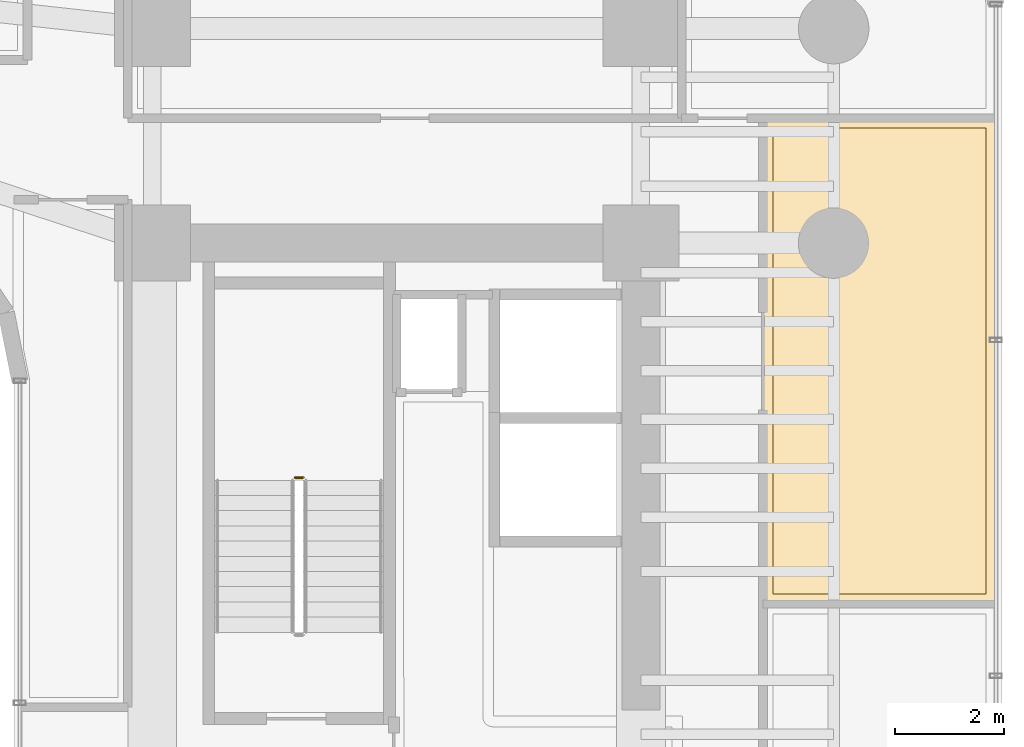
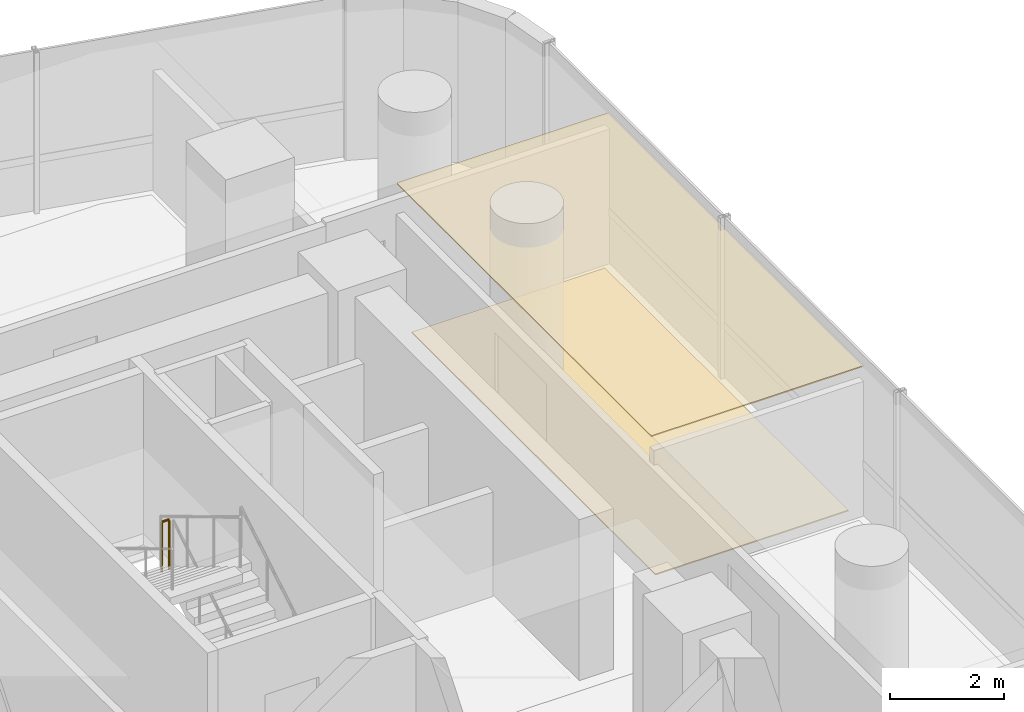
# One storey, part 38 of 39: 2 coverings, 1 railing.
"""IFC4 building model written with IfcOpenShell, lengths in metres."""

import ifcopenshell
import ifcopenshell.guid

model = None  # the IFC model being written
_history = None  # IfcOwnerHistory: only IFC2X3 demands one
_inside = {}  # id of a spatial element -> (the spatial element, [elements in it])
_under = {}  # id of a project, library or spatial element -> (it, [spatial elements below it])
_declared = {}  # id of a project -> (the project, [libraries it declares])
_typed = {}  # id of a type object -> (the type object, [elements of that type])
_made_of = {}  # id of a material, layer set ... -> (it, [elements and type objects made of it])


def new_model(schema):
    """Start an empty IFC model of exactly this schema.

    Asked for "IFC4X3", IfcOpenShell would pick the latest addendum, in which some entities
    have other attributes; the version numbers below select the first issue.
    IFC2X3 requires an IfcOwnerHistory on every rooted entity: one is made here for all.
    """
    global model, _history
    if schema == "IFC4X3":
        model = ifcopenshell.file(schema_version=(4, 3, 0, 0))
    else:
        model = ifcopenshell.file(schema=schema)
    _inside.clear()
    _under.clear()
    _declared.clear()
    _typed.clear()
    _made_of.clear()
    _history = None
    if model.schema == "IFC2X3":
        org = make("IfcOrganization", Name="unknown")
        user = make(
            "IfcPersonAndOrganization",
            ThePerson=make("IfcPerson", FamilyName="unknown"),
            TheOrganization=org,
        )
        app = make(
            "IfcApplication",
            ApplicationDeveloper=org,
            Version="unknown",
            ApplicationFullName="unknown",
            ApplicationIdentifier="unknown",
        )
        _history = make(
            "IfcOwnerHistory",
            OwningUser=user,
            OwningApplication=app,
            ChangeAction="ADDED",
            CreationDate=0,
        )
    return model


def make(cls, **values):
    """One entity of the class cls with the attributes given. An attribute that is None is left unset."""
    return model.create_entity(
        cls, **{name: value for name, value in values.items() if value is not None}
    )


def rooted(cls, **values):
    """An entity with a GlobalId (a new one), such as an element, a storey or a relation."""
    return make(cls, GlobalId=ifcopenshell.guid.new(), OwnerHistory=_history, **values)


def si_unit(unit_type, name, prefix=None):
    """IfcSIUnit, for example si_unit("LENGTHUNIT", "METRE", prefix="MILLI")."""
    return make("IfcSIUnit", UnitType=unit_type, Prefix=prefix, Name=name)


def assignment(units):
    """IfcUnitAssignment: the units of a project."""
    return None if units is None else make("IfcUnitAssignment", Units=units)


def point(xyz):
    """IfcCartesianPoint."""
    return None if xyz is None else make("IfcCartesianPoint", Coordinates=xyz)


def direction(xyz):
    """IfcDirection."""
    return None if xyz is None else make("IfcDirection", DirectionRatios=xyz)


def frame(location, z_axis=None, x_axis=None):
    """IfcAxis2Placement3D, a coordinate frame: its origin and axes. An axis left out is left unset."""
    return make(
        "IfcAxis2Placement3D",
        Location=point(location),
        Axis=direction(z_axis),
        RefDirection=direction(x_axis),
    )


def frame_2d(location, x_axis=None):
    """IfcAxis2Placement2D, a coordinate frame in the plane: its origin and x axis."""
    return make(
        "IfcAxis2Placement2D", Location=point(location), RefDirection=direction(x_axis)
    )


def origin():
    """The frame at (0, 0, 0) with its axes left unset."""
    return frame((0.0, 0.0, 0.0))


def origin_2d():
    """The frame at (0, 0) in the plane with its x axis left unset."""
    return frame_2d((0.0, 0.0))


def place(relative_to, where):
    """IfcLocalPlacement: puts the frame where relative to a parent placement (None: the world)."""
    return make(
        "IfcLocalPlacement", PlacementRelTo=relative_to, RelativePlacement=where
    )


def context(
    kind, dimensions, precision=None, world=None, true_north=None, identifier=None
):
    """IfcGeometricRepresentationContext, for example the 3D "Model" context."""
    return make(
        "IfcGeometricRepresentationContext",
        ContextIdentifier=identifier,
        ContextType=kind,
        CoordinateSpaceDimension=dimensions,
        Precision=precision,
        WorldCoordinateSystem=world,
        TrueNorth=true_north,
    )


def subcontext(parent, identifier, kind, view, scale=None):
    """IfcGeometricRepresentationSubContext, for example "Body" below "Model"."""
    return make(
        "IfcGeometricRepresentationSubContext",
        ContextIdentifier=identifier,
        ContextType=kind,
        ParentContext=parent,
        TargetScale=scale,
        TargetView=view,
    )


def project(units=None, contexts=None):
    """IfcProject with its units and contexts."""
    return rooted(
        "IfcProject",
        Name="project",
        RepresentationContexts=contexts,
        UnitsInContext=assignment(units),
    )


def spatial(cls, under=None, at=None, **own):
    """A site, building, storey or space (cls), placed at a placement, below another one or the project."""
    s = rooted(cls, ObjectPlacement=at, **own)
    if under is not None:
        _under.setdefault(under.id(), (under, []))[1].append(s)
    return s


def polyline(points):
    """IfcPolyline through the points."""
    return make("IfcPolyline", Points=[point(p) for p in points])


def profile(cls, at=None, kind="AREA", **sizes):
    """A parametric profile (cls). Its sizes go by their IFC names, for example OverallWidth=200.0."""
    return make(cls, ProfileType=kind, Position=at, **sizes)


def circle(**sizes):
    """IfcCircleProfileDef."""
    return profile("IfcCircleProfileDef", **sizes)


def outline(outer, holes=None, kind="AREA"):
    """IfcArbitraryClosedProfileDef: a profile drawn as a closed curve; with holes, ...WithVoids."""
    if holes is None:
        return make("IfcArbitraryClosedProfileDef", ProfileType=kind, OuterCurve=outer)
    return make(
        "IfcArbitraryProfileDefWithVoids",
        ProfileType=kind,
        OuterCurve=outer,
        InnerCurves=holes,
    )


def extrude(swept, where, along, depth):
    """IfcExtrudedAreaSolid: the profile swept, set in the frame where, extruded along a direction by depth."""
    return make(
        "IfcExtrudedAreaSolid",
        SweptArea=swept,
        Position=where,
        ExtrudedDirection=direction(along),
        Depth=depth,
    )


def shape(context_of_items, identifier, shape_type, items):
    """IfcShapeRepresentation: the items that make up one representation, for example the "Body"."""
    return make(
        "IfcShapeRepresentation",
        ContextOfItems=context_of_items,
        RepresentationIdentifier=identifier,
        RepresentationType=shape_type,
        Items=items,
    )


def material(Name=None, Category=None):
    """IfcMaterial."""
    return make("IfcMaterial", Name=Name, Category=Category)


def layer(
    of_material, thickness, ventilated=None, Name=None, Category=None, Priority=None
):
    """IfcMaterialLayer: one layer of a wall or slab, of a material (None: an air gap)."""
    return make(
        "IfcMaterialLayer",
        Material=of_material,
        LayerThickness=thickness,
        IsVentilated=ventilated,
        Name=Name,
        Category=Category,
        Priority=Priority,
    )


def layer_set(layers, Name=None):
    """IfcMaterialLayerSet."""
    return make("IfcMaterialLayerSet", MaterialLayers=layers, LayerSetName=Name)


def made_of(thing, what):
    """Note that an element or type object is made of a material, layer set ...; save() writes the relation."""
    if what is not None:
        _made_of.setdefault(what.id(), (what, []))[1].append(thing)
    return thing


def type_object(cls, material=None, **own):
    """A type object (cls), such as IfcWallType, which elements share."""
    return made_of(rooted(cls, **own), material)


def element(
    cls,
    number,
    at=None,
    inside=None,
    cuts=None,
    type_object=None,
    material=None,
    context=None,
    identifier="Body",
    shape_type=None,
    held_by="IfcProductDefinitionShape",
    body=None,
    shapes=None,
    **own,
):
    """One element of the class cls, such as IfcWall. Its Tag is "e" and its number.

    at: its placement. inside: the storey or other place that contains it. cuts: it is an
    opening in that element (IfcRelVoidsElement). A single representation is given by context,
    identifier, shape_type and body (its items); several are given by shapes. held_by: the class
    of the entity that holds the representations. save() writes the other relations.
    """
    e = rooted(cls, Tag="e%d" % number, ObjectPlacement=at, **own)
    if body is not None:
        shapes = [shape(context, identifier, shape_type, body)]
    if shapes is not None:
        e.Representation = make(held_by, Representations=shapes)
    if inside is not None:
        _inside.setdefault(inside.id(), (inside, []))[1].append(e)
    if cuts is not None:
        rooted(
            "IfcRelVoidsElement", RelatingBuildingElement=cuts, RelatedOpeningElement=e
        )
    if type_object is not None:
        _typed.setdefault(type_object.id(), (type_object, []))[1].append(e)
    return made_of(e, material)


def aggregate(whole, parts):
    """IfcRelAggregates: a whole, such as a stair, and the parts it consists of."""
    return rooted("IfcRelAggregates", RelatingObject=whole, RelatedObjects=parts)


def save(model, path):
    """Write the relations noted so far, then the file.

    IfcRelAggregates (storeys below a building ...), IfcRelContainedInSpatialStructure (elements
    in a storey), IfcRelDefinesByType, IfcRelAssociatesMaterial and IfcRelDeclares: one each for
    every whole, place, type object, material and project.
    """
    for whole, parts in _under.values():
        aggregate(whole, parts)
    for where, things in _inside.values():
        rooted(
            "IfcRelContainedInSpatialStructure",
            RelatedElements=things,
            RelatingStructure=where,
        )
    for kind, things in _typed.values():
        rooted("IfcRelDefinesByType", RelatedObjects=things, RelatingType=kind)
    for what, things in _made_of.values():
        rooted("IfcRelAssociatesMaterial", RelatedObjects=things, RelatingMaterial=what)
    for by, libraries in _declared.values():
        rooted("IfcRelDeclares", RelatingContext=by, RelatedDefinitions=libraries)
    model.write(path)


model = new_model("IFC4")

# Units and contexts
model_context = context("Model", 3, precision=1e-05, world=origin(), true_north=direction((0.0, 1.0)))
body_context = subcontext(model_context, "Body", "Model", "MODEL_VIEW")
ifc_project = project(units=[si_unit("LENGTHUNIT", "METRE"), si_unit("AREAUNIT", "SQUARE_METRE"), si_unit("VOLUMEUNIT", "CUBIC_METRE"), si_unit("PLANEANGLEUNIT", "RADIAN"), si_unit("MASSUNIT", "GRAM", prefix="KILO")], contexts=[model_context])

# Site, building, storey
site_placement = place(None, origin())
site = spatial("IfcSite", under=ifc_project, at=site_placement, CompositionType="ELEMENT")
building_placement = place(site_placement, origin())
building = spatial("IfcBuilding", under=site, at=building_placement, Name="Valdorenza Pilgrim Sanctuary Tower", CompositionType="ELEMENT")
storey_placement = place(building_placement, frame((0.0, 0.0, 77.800048828125)))
storey = spatial("IfcBuildingStorey", under=building, at=storey_placement, Name="L19", CompositionType="ELEMENT", Elevation=77.800048828125)

# Coverings
ifc_material_1 = material(Name="Micro-perforated acoustic mineral ceiling tile", Category="gypsum")
ifc_layer_1 = layer(ifc_material_1, 0.02490234375, Name="Micro-perforated acoustic mineral ceiling tile")
ifc_layer_set_1 = layer_set([ifc_layer_1], Name="Micro-perforated acoustic mineral ceiling tile")
covering_type_1 = type_object("IfcCoveringType", Name="COV-CLG-ACU", PredefinedType="CEILING", material=ifc_layer_set_1)
covering_1_placement = place(storey_placement, frame((0.0, 0.0, 3.159912109375)))
element("IfcCovering", 1, at=covering_1_placement, inside=storey, type_object=covering_type_1, Name="L19 East Reading Lounge L19-EB3 Acoustic Ceiling", PredefinedType="CEILING", context=body_context, shape_type="SweptSolid", body=[
    extrude(outline(polyline([(27.0849609375, 11.847900390625), (27.085205078125, 11.849609375), (27.085205078125, 11.850830078125), (27.085693359375, 11.852294921875), (27.086181640625, 11.853759765625), (27.0869140625, 11.85498046875), (27.08740234375, 11.856201171875), (27.08837890625, 11.857421875), (27.08935546875, 11.858642578125), (27.090576171875, 11.859619140625), (27.091796875, 11.860595703125), (27.093017578125, 11.861083984375), (27.09423828125, 11.86181640625), (27.095703125, 11.8623046875), (27.09716796875, 11.86279296875), (27.098388671875, 11.86279296875), (27.10009765625, 11.863037109375), (31.389892578125, 11.863037109375), (31.3916015625, 11.86279296875), (31.392822265625, 11.86279296875), (31.394287109375, 11.8623046875), (31.395751953125, 11.86181640625), (31.397216796875, 11.861083984375), (31.398193359375, 11.860595703125), (31.3994140625, 11.859619140625), (31.400634765625, 11.858642578125), (31.401611328125, 11.857421875), (31.402587890625, 11.856201171875), (31.4033203125, 11.85498046875), (31.40380859375, 11.853759765625), (31.404296875, 11.852294921875), (31.40478515625, 11.850830078125), (31.40478515625, 11.849609375), (31.405029296875, 11.847900390625), (31.405029296875, 2.902099609375), (31.40478515625, 2.900390625), (31.40478515625, 2.899169921875), (31.404296875, 2.897705078125), (31.40380859375, 2.896240234375), (31.4033203125, 2.89501953125), (31.402587890625, 2.893798828125), (31.401611328125, 2.892578125), (31.400634765625, 2.891357421875), (31.3994140625, 2.890380859375), (31.398193359375, 2.889404296875), (31.397216796875, 2.888916015625), (31.395751953125, 2.88818359375), (31.394287109375, 2.8876953125), (31.392822265625, 2.88720703125), (31.3916015625, 2.88720703125), (31.389892578125, 2.886962890625), (27.10009765625, 2.886962890625), (27.098388671875, 2.88720703125), (27.09716796875, 2.88720703125), (27.095703125, 2.8876953125), (27.09423828125, 2.88818359375), (27.093017578125, 2.888916015625), (27.091796875, 2.889404296875), (27.090576171875, 2.890380859375), (27.08935546875, 2.891357421875), (27.08837890625, 2.892578125), (27.08740234375, 2.893798828125), (27.0869140625, 2.89501953125), (27.086181640625, 2.896240234375), (27.085693359375, 2.897705078125), (27.085205078125, 2.899169921875), (27.085205078125, 2.900390625), (27.0849609375, 2.902099609375), (27.0849609375, 11.847900390625)])), origin(), (0.0, 0.0, 1.0), 0.025146484375),
])
ifc_material_2 = material(Name="Honed travertine stone flooring", Category="masonry")
ifc_layer_2 = layer(ifc_material_2, 0.030029296875, Name="Honed travertine stone flooring")
ifc_layer_set_2 = layer_set([ifc_layer_2], Name="Honed travertine stone flooring")
covering_type_2 = type_object("IfcCoveringType", Name="COV-FLR-TRV", PredefinedType="FLOORING", material=ifc_layer_set_2)
covering_2_placement = place(storey_placement, origin())
element("IfcCovering", 2, at=covering_2_placement, inside=storey, type_object=covering_type_2, Name="L19 East Reading Lounge L19-EB3 Flooring", PredefinedType="FLOORING", context=body_context, shape_type="SweptSolid", body=[
    extrude(outline(polyline([(27.280029296875, 11.66796875), (31.2099609375, 11.66796875), (31.2099609375, 3.08203125), (27.280029296875, 3.08203125), (27.280029296875, 11.66796875)])), origin(), (0.0, 0.0, 1.0), 0.02490234375),
])

# Railing
ifc_material_3 = material(Name="Stainless steel Grade 316", Category="steel")
railing_type = type_object("IfcRailingType", Name="RLG-GRD-1120", PredefinedType="GUARDRAIL", material=ifc_material_3)
railing_placement = place(storey_placement, frame((18.6298828125, 5.22998046875, 1.849853515625)))
element("IfcRailing", 3, at=railing_placement, inside=storey, type_object=railing_type, Name="L19 ST-B1 stair guard 2", PredefinedType="GUARDRAIL", context=body_context, shape_type="SweptSolid", body=[
    extrude(circle(Radius=0.02392578125, at=origin_2d()), frame((0.0, 0.0, 1.076171875), z_axis=(-1.0, 0.0, 0.0), x_axis=(0.0, -1.0, 0.0)), (0.0, 0.0, 1.0), 0.14990234375),
    extrude(circle(Radius=0.02099609375, at=origin_2d()), origin(), (0.0, 0.0, 1.0), 1.052001953125),
    extrude(circle(Radius=0.02099609375, at=origin_2d()), frame((-0.14990234375, 0.0, 0.0)), (0.0, 0.0, 1.0), 1.052001953125),
])

save(model, "model.ifc")
